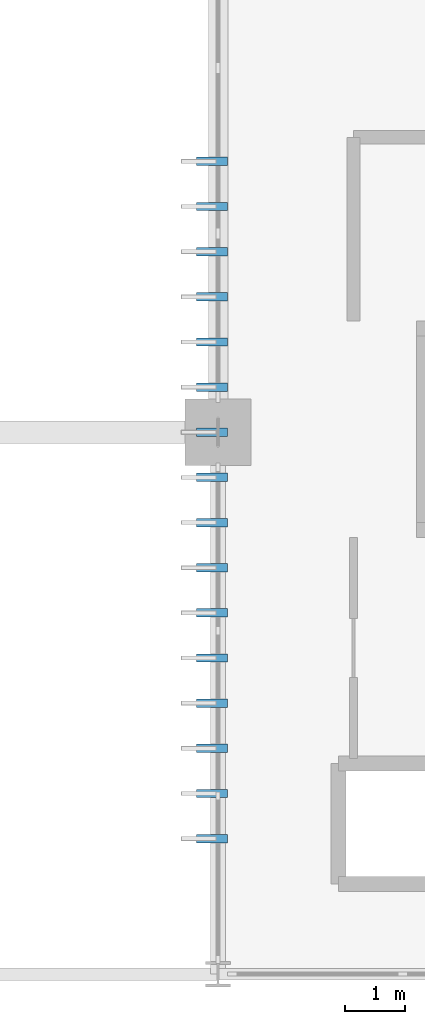
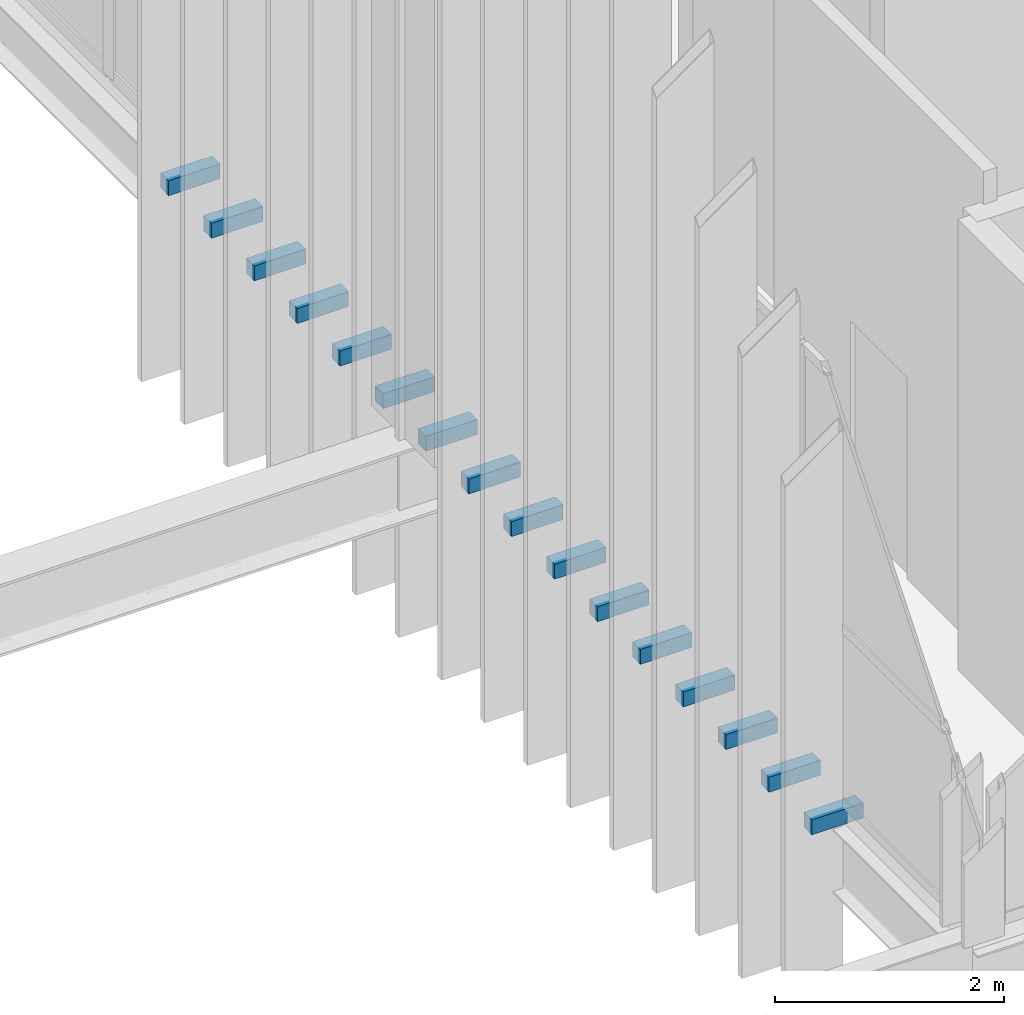
# One storey, part 105 of 119: 16 discrete accessories.
"""IFC4 building model written with IfcOpenShell, lengths in metres."""

from ifc_helpers import new_model, si_unit, direction, frame, origin, origin_2d, place, context, subcontext, project, spatial, rectangle, extrude, material, type_object, element, save


model = new_model("IFC4")

# Units and contexts
model_context = context("Model", 3, precision=1e-05, world=origin(), true_north=direction((0.0, 1.0)))
body_context = subcontext(model_context, "Body", "Model", "MODEL_VIEW")
ifc_project = project(units=[si_unit("LENGTHUNIT", "METRE"), si_unit("AREAUNIT", "SQUARE_METRE"), si_unit("VOLUMEUNIT", "CUBIC_METRE"), si_unit("PLANEANGLEUNIT", "RADIAN"), si_unit("MASSUNIT", "GRAM", prefix="KILO")], contexts=[model_context])

# Site, building, storey
site_placement = place(None, origin())
site = spatial("IfcSite", under=ifc_project, at=site_placement, CompositionType="ELEMENT")
building_placement = place(site_placement, origin())
building = spatial("IfcBuilding", under=site, at=building_placement, Name="Qamarlyn Nura Convention Centre", CompositionType="ELEMENT")
storey_placement = place(building_placement, frame((0.0, 0.0, 5.39990234375)))
storey = spatial("IfcBuildingStorey", under=building, at=storey_placement, Name="L01", CompositionType="ELEMENT", Elevation=5.39990234375)

# Discrete accessories
ifc_material = material(Name="Marine Grade 316 stainless steel", Category="steel")
discrete_accessory_type = type_object("IfcDiscreteAccessoryType", Name="ACC-FIN-BRK", PredefinedType="BRACKET", material=ifc_material)
for number, where, z_axis, x_axis, name in (
    (1, (152.89990234375, 2.25, -0.1796875), (0.0, 0.0, 1.0), (-1.0, 0.0, 0.0), "Vertical blade anchor bracket CLUST-B-01-L01"),
    (2, (152.89990234375, 3.0, -0.1796875), (0.0, 0.0, 1.0), (-1.0, 0.0, 0.0), "Vertical blade anchor bracket CLUST-B-02-L01"),
    (3, (152.89990234375, 3.75, -0.1796875), (0.0, 0.0, 1.0), (-1.0, 0.0, 0.0), "Vertical blade anchor bracket CLUST-B-03-L01"),
    (4, (152.89990234375, 4.5, -0.1796875), (0.0, 0.0, 1.0), (-1.0, 0.0, 0.0), "Vertical blade anchor bracket CLUST-B-04-L01"),
    (5, (152.89990234375, 5.25, -0.1796875), (0.0, 0.0, 1.0), (-1.0, 0.0, 0.0), "Vertical blade anchor bracket CLUST-B-05-L01"),
    (6, (152.89990234375, 6.0, -0.1796875), (0.0, 0.0, 1.0), (-1.0, 0.0, 0.0), "Vertical blade anchor bracket CLUST-B-06-L01"),
    (7, (152.89990234375, 6.75, -0.1796875), (0.0, 0.0, 1.0), (-1.0, 0.0, 0.0), "Vertical blade anchor bracket CLUST-B-07-L01"),
    (8, (152.89990234375, 7.5, -0.1796875), (0.0, 0.0, 1.0), (-1.0, 0.0, 0.0), "Vertical blade anchor bracket CLUST-B-08-L01"),
    (9, (152.89990234375, 8.25, -0.1796875), (0.0, 0.0, 1.0), (-1.0, 0.0, 0.0), "Vertical blade anchor bracket CLUST-B-09-L01"),
    (10, (152.89990234375, 9.0, -0.1796875), (0.0, 0.0, 1.0), (-1.0, 0.0, 0.0), "Vertical blade anchor bracket CLUST-B-10-L01"),
    (11, (152.89990234375, 9.75, -0.1796875), (0.0, 0.0, 1.0), (-1.0, 0.0, 0.0), "Vertical blade anchor bracket CLUST-B-11-L01"),
    (12, (152.89990234375, 10.5, -0.1796875), (0.0, 0.0, 1.0), (-1.0, 0.0, 0.0), "Vertical blade anchor bracket CLUST-B-12-L01"),
    (13, (152.89990234375, 11.25, -0.1796875), (0.0, 0.0, 1.0), (-1.0, 0.0, 0.0), "Vertical blade anchor bracket CLUST-B-13-L01"),
    (14, (152.89990234375, 12.0, -0.1796875), (0.0, 0.0, 1.0), (-1.0, 0.0, 0.0), "Vertical blade anchor bracket CLUST-B-14-L01"),
    (15, (152.89990234375, 12.75, -0.1796875), (0.0, 0.0, 1.0), (-1.0, 0.0, 0.0), "Vertical blade anchor bracket CLUST-B-15-L01"),
    (16, (152.89990234375, 13.5, -0.1796875), (0.0, 0.0, 1.0), (-1.0, 0.0, 0.0), "Vertical blade anchor bracket CLUST-B-16-L01"),
):
    element("IfcDiscreteAccessory", number, at=place(storey_placement, frame(where, z_axis=z_axis, x_axis=x_axis)), inside=storey, type_object=discrete_accessory_type, Name=name, PredefinedType="BRACKET", context=body_context, shape_type="SweptSolid", body=[
        extrude(rectangle(XDim=0.52001953125, YDim=0.139892578125, at=origin_2d()), origin(), (0.0, 0.0, 1.0), 0.159912109375),
    ])

save(model, "model.ifc")
